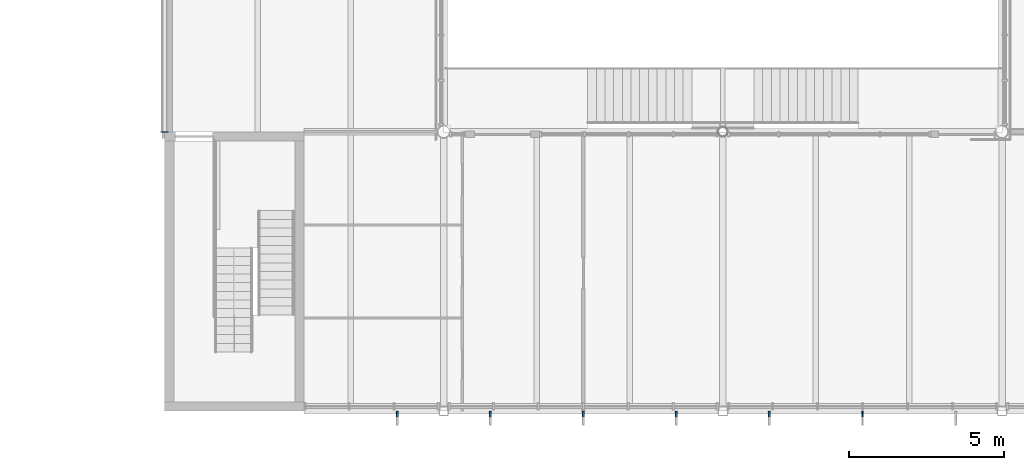
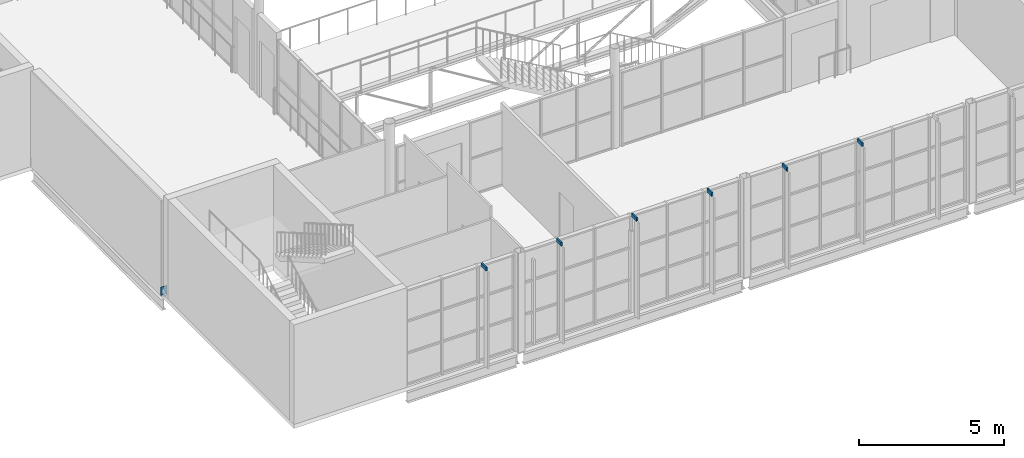
# One storey, part 49 of 61: 7 discrete accessories.
"""IFC4 building model written with IfcOpenShell, lengths in metres."""

from ifc_helpers import new_model, si_unit, direction, frame, origin, origin_2d, place, context, subcontext, project, spatial, rectangle, extrude, element, save


model = new_model("IFC4")

# Units and contexts
model_context = context("Model", 3, precision=1e-05, world=origin(), true_north=direction((0.0, 1.0)))
body_context = subcontext(model_context, "Body", "Model", "MODEL_VIEW")
ifc_project = project(units=[si_unit("LENGTHUNIT", "METRE"), si_unit("AREAUNIT", "SQUARE_METRE"), si_unit("VOLUMEUNIT", "CUBIC_METRE"), si_unit("PLANEANGLEUNIT", "RADIAN"), si_unit("MASSUNIT", "GRAM", prefix="KILO")], contexts=[model_context])

# Site, building, storey
site_placement = place(None, origin())
site = spatial("IfcSite", under=ifc_project, at=site_placement, CompositionType="ELEMENT")
building_placement = place(site_placement, origin())
building = spatial("IfcBuilding", under=site, at=building_placement, Name="Halyard Row Museum", CompositionType="ELEMENT")
storey_placement = place(building_placement, frame((0.0, 0.0, 9.199951171875)))
storey = spatial("IfcBuildingStorey", under=building, at=storey_placement, Name="L02", CompositionType="ELEMENT", Elevation=9.199951171875)

# Discrete accessories
discrete_accessory_placement = place(storey_placement, frame((72.0, 9.0, 0.215087890625), z_axis=(0.0, -1.0, 0.0), x_axis=(1.0, 0.0, 0.0)))
element("IfcDiscreteAccessory", 1, at=discrete_accessory_placement, inside=storey, Name="Brace L02 X72 9-18 A cast-in plate", PredefinedType="ANCHORPLATE", context=body_context, shape_type="SweptSolid", body=[
    extrude(rectangle(XDim=0.25, YDim=0.35009765625, at=origin_2d()), origin(), (0.0, 0.0, 1.0), 0.02001953125),
])
for number, where, z_axis, x_axis, name in (
    (2, (79.5, -0.16259765625, 4.050048828125), (0.0, 0.0, 1.0), (1.0, 0.0, 0.0), "Fin bracket"),
    (3, (82.5, -0.16259765625, 4.050048828125), (0.0, 0.0, 1.0), (1.0, 0.0, 0.0), "Fin bracket"),
    (4, (85.5, -0.16259765625, 4.050048828125), (0.0, 0.0, 1.0), (1.0, 0.0, 0.0), "Fin bracket"),
    (5, (88.5, -0.16259765625, 4.050048828125), (0.0, 0.0, 1.0), (1.0, 0.0, 0.0), "Fin bracket"),
    (6, (91.5, -0.16259765625, 4.050048828125), (0.0, 0.0, 1.0), (1.0, 0.0, 0.0), "Fin bracket"),
    (7, (94.5, -0.16259765625, 4.050048828125), (0.0, 0.0, 1.0), (1.0, 0.0, 0.0), "Fin bracket"),
):
    element("IfcDiscreteAccessory", number, at=place(storey_placement, frame(where, z_axis=z_axis, x_axis=x_axis)), inside=storey, Name=name, PredefinedType="BRACKET", context=body_context, shape_type="SweptSolid", body=[
        extrude(rectangle(XDim=0.06005859375, YDim=0.324951171875, at=origin_2d()), origin(), (0.0, 0.0, 1.0), 0.14990234375),
    ])

save(model, "model.ifc")
